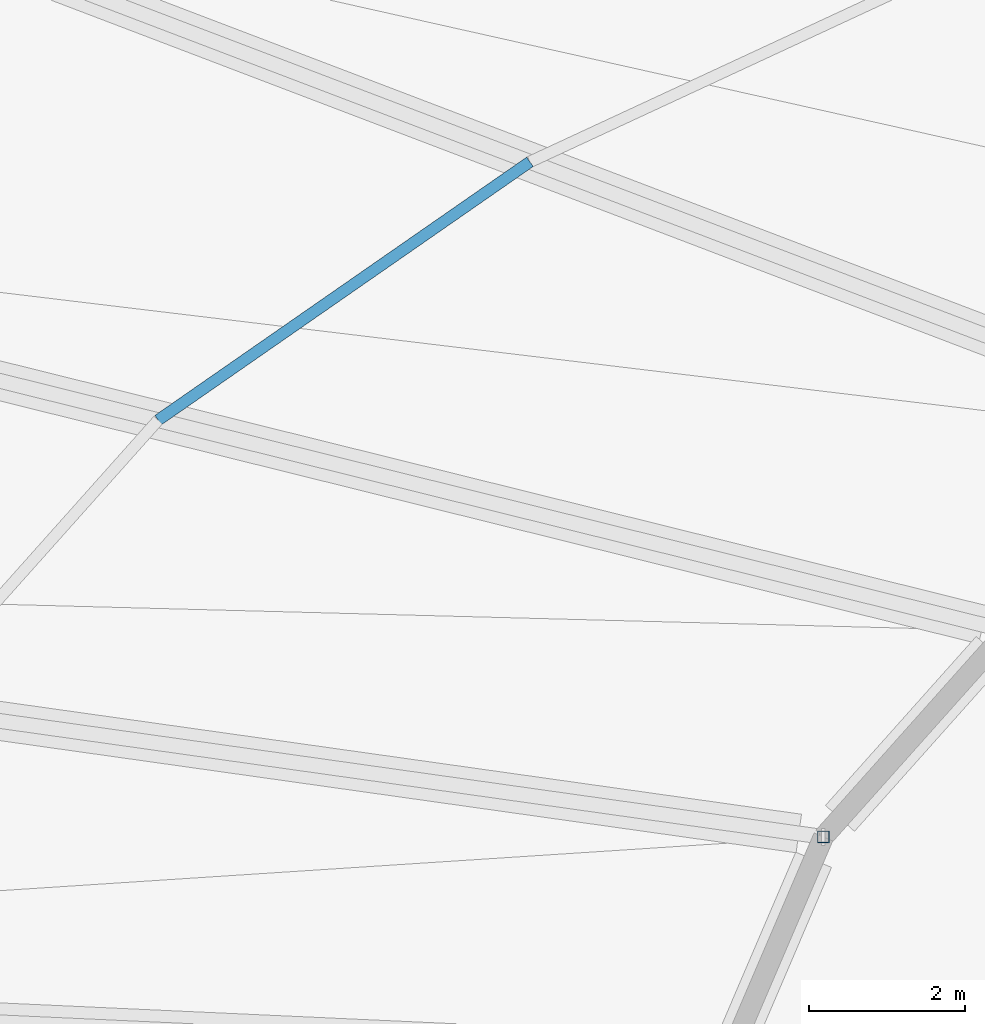
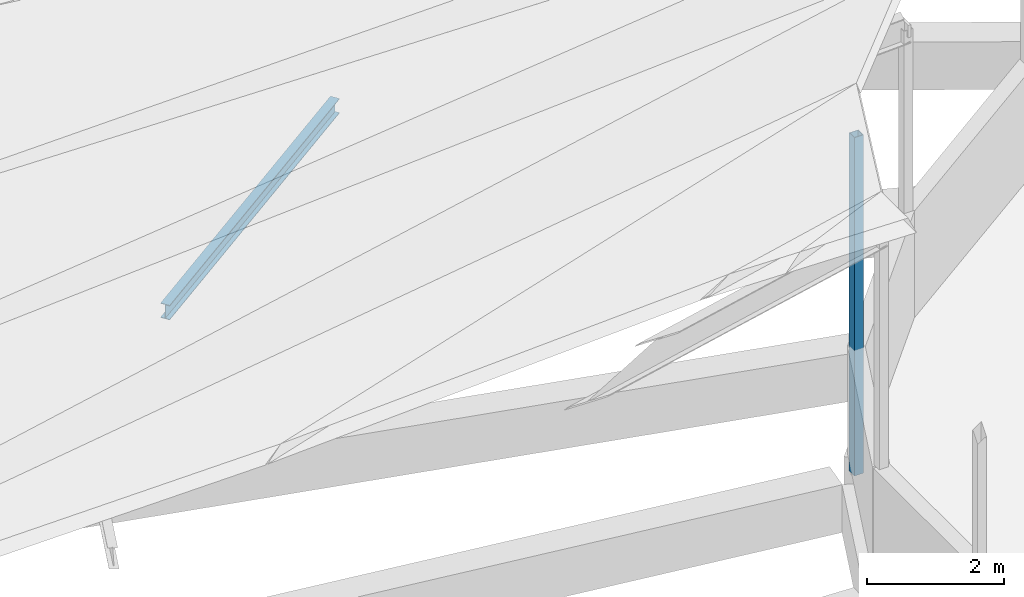
# One storey, part 27 of 142: 2 members.
"""IFC4 building model written with IfcOpenShell, lengths in metres."""

from ifc_helpers import new_model, si_unit, direction, frame, origin, origin_2d, place, context, subcontext, project, spatial, hollow_rectangle, i_section, extrude, material, material_profile, profile_set, type_object, element, save


model = new_model("IFC4")

# Units and contexts
model_context = context("Model", 3, precision=1e-05, world=origin(), true_north=direction((0.0, 1.0)))
body_context = subcontext(model_context, "Body", "Model", "MODEL_VIEW")
ifc_project = project(units=[si_unit("LENGTHUNIT", "METRE"), si_unit("AREAUNIT", "SQUARE_METRE"), si_unit("VOLUMEUNIT", "CUBIC_METRE"), si_unit("PLANEANGLEUNIT", "RADIAN"), si_unit("MASSUNIT", "GRAM", prefix="KILO")], contexts=[model_context])

# Site, building, storey
site_placement = place(None, origin())
site = spatial("IfcSite", under=ifc_project, at=site_placement, CompositionType="ELEMENT")
building_placement = place(site_placement, origin())
building = spatial("IfcBuilding", under=site, at=building_placement, Name="Corvandel Quay Wholesale Market", CompositionType="ELEMENT")
storey_placement = place(building_placement, frame((0.0, 0.0, 10.800048828125)))
storey = spatial("IfcBuildingStorey", under=building, at=storey_placement, Name="L02", CompositionType="ELEMENT", Elevation=10.800048828125)

# Members
ifc_material_1 = material(Name="Steel A992 Grade 50", Category="steel")
ifc_material_profile_1 = material_profile(ifc_material_1, i_section(OverallWidth=0.14697265625, OverallDepth=0.261962890625, WebThickness=0.006591796875, FlangeThickness=0.01123046875, at=origin_2d()), Name="W10X26")
ifc_profile_set_1 = profile_set([ifc_material_profile_1], Name="Steel A992 Grade 50")
member_type_1 = type_object("IfcMemberType", Name="Roof Clerestory Purlin Rafter RF03 W10X26", PredefinedType="RAFTER", material=ifc_profile_set_1)
member_1_placement = place(storey_placement, frame((80.071533203125, 128.927490234375, 2.263916015625), z_axis=(-0.821270064724, -0.57053963998, 0.0), x_axis=(0.57053963998, -0.821270064724, 0.0)))
element("IfcMember", 1, at=member_1_placement, inside=storey, type_object=member_type_1, Name="Member MEM-0021", PredefinedType="RAFTER", context=body_context, shape_type="SweptSolid", body=[
    extrude(i_section(OverallWidth=0.14697265625, OverallDepth=0.261962890625, WebThickness=0.006591796875, FlangeThickness=0.01123046875, at=origin_2d()), origin(), (0.0, 0.0, 1.0), 5.82080078125),
])
ifc_material_2 = material(Name="Steel A500 Grade C", Category="steel")
ifc_material_profile_2 = material_profile(ifc_material_2, hollow_rectangle(XDim=0.152099609375, YDim=0.152099609375, WallThickness=0.0087890625, at=origin_2d()), Name="HSS6X6X3/8")
ifc_profile_set_2 = profile_set([ifc_material_profile_2], Name="Steel A500 Grade C")
member_type_2 = type_object("IfcMemberType", Name="Sawtooth Truss Web Brace BR03 HSS6X6", PredefinedType="BRACE", material=ifc_profile_set_2)
member_2_placement = place(storey_placement, frame((83.844970703125, 120.2470703125, -0.340087890625), z_axis=(0.0, 0.0, 1.0), x_axis=(1.0, 0.0, 0.0)))
element("IfcMember", 2, at=member_2_placement, inside=storey, type_object=member_type_2, Name="Member MEM-0026", PredefinedType="BRACE", context=body_context, shape_type="SweptSolid", body=[
    extrude(hollow_rectangle(XDim=0.152099609375, YDim=0.152099609375, WallThickness=0.0087890625, at=origin_2d()), origin(), (0.0, 0.0, 1.0), 6.028076171875),
])

save(model, "model.ifc")
